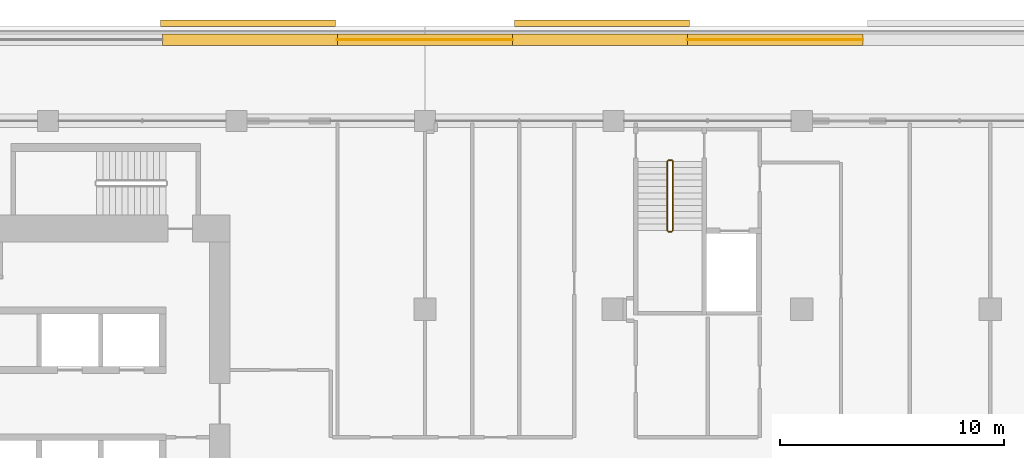
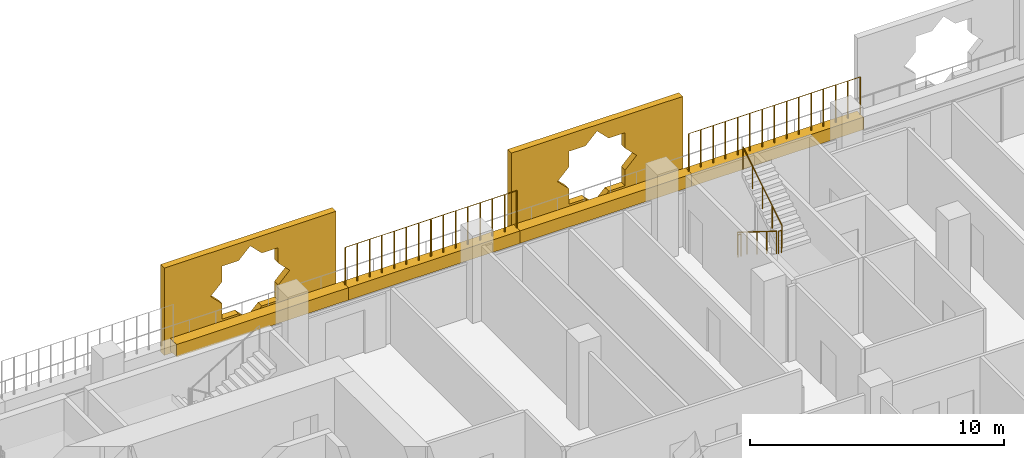
# One storey, part 21 of 22: 6 coverings, 6 railings.
"""IFC4 building model written with IfcOpenShell, lengths in metres."""

from ifc_helpers import new_model, si_unit, direction, frame, origin, origin_2d, place, context, subcontext, project, spatial, polyline, rectangle, circle, outline, extrude, material, material_profile, profile_set, type_object, element, save


model = new_model("IFC4")

# Units and contexts
model_context = context("Model", 3, precision=1e-05, world=origin(), true_north=direction((0.0, 1.0)))
body_context = subcontext(model_context, "Body", "Model", "MODEL_VIEW")
ifc_project = project(units=[si_unit("LENGTHUNIT", "METRE"), si_unit("AREAUNIT", "SQUARE_METRE"), si_unit("VOLUMEUNIT", "CUBIC_METRE"), si_unit("PLANEANGLEUNIT", "RADIAN"), si_unit("MASSUNIT", "GRAM", prefix="KILO")], contexts=[model_context])

# Site, building, storey
site_placement = place(None, origin())
site = spatial("IfcSite", under=ifc_project, at=site_placement, CompositionType="ELEMENT")
building_placement = place(site_placement, origin())
building = spatial("IfcBuilding", under=site, at=building_placement, Name="Kawkab Arch Medical Tower", CompositionType="ELEMENT")
storey_placement = place(building_placement, frame((0.0, 0.0, 183.60009765625)))
storey = spatial("IfcBuildingStorey", under=building, at=storey_placement, Name="L42", CompositionType="ELEMENT", Elevation=183.60009765625)

# Coverings
ifc_material_1 = material(Name="Bronze anodised aluminium mashrabiya panel, eight-point star pattern", Category="aluminium")
ifc_material_profile_1 = material_profile(ifc_material_1, outline(polyline([(-3.89990234375, -2.10009765625), (3.89990234375, -2.10009765625), (3.89990234375, 2.10009765625), (-3.89990234375, 2.10009765625), (-3.89990234375, -2.10009765625)]), holes=[polyline([(1.800048828125, 0.0), (1.272705078125, 0.527099609375), (1.272705078125, 1.272705078125), (0.527099609375, 1.272705078125), (0.0, 1.800048828125), (-0.527099609375, 1.272705078125), (-1.272705078125, 1.272705078125), (-1.272705078125, 0.527099609375), (-1.800048828125, 0.0), (-1.272705078125, -0.527099609375), (-1.272705078125, -1.272705078125), (-0.527099609375, -1.272705078125), (0.0, -1.800048828125), (0.527099609375, -1.272705078125), (1.272705078125, -1.272705078125), (1.272705078125, -0.527099609375), (1.800048828125, 0.0)])]), Name="Mashrabiya panel 7800x4200")
ifc_profile_set_1 = profile_set([ifc_material_profile_1], Name="Bronze anodised aluminium mashrabiya panel, eight-point star pattern")
covering_type_1 = type_object("IfcCoveringType", Name="Mashrabiya panel 7800 x 4200", PredefinedType="USERDEFINED", material=ifc_profile_set_1)
for number, where, z_axis, x_axis, name in (
    (1, (25.7158203125, 4.199951171875, 1.699951171875), (0.0, 1.0, 0.0), (-1.0, 0.0, 0.0), "Mashrabiya panel L42.LOG-01-01.6"),
    (2, (41.484375, 4.199951171875, 1.699951171875), (0.0, 1.0, 0.0), (-1.0, 0.0, 0.0), "Mashrabiya panel L42.LOG-01-01.7"),
):
    element("IfcCovering", number, at=place(storey_placement, frame(where, z_axis=z_axis, x_axis=x_axis)), inside=storey, type_object=covering_type_1, Name=name, ObjectType="SCREEN", PredefinedType="USERDEFINED", context=body_context, shape_type="SweptSolid", body=[
        extrude(outline(polyline([(-3.89990234375, -2.10009765625), (3.89990234375, -2.10009765625), (3.89990234375, 2.10009765625), (-3.89990234375, 2.10009765625), (-3.89990234375, -2.10009765625)]), holes=[polyline([(1.800048828125, 0.0), (1.272705078125, 0.527099609375), (1.272705078125, 1.272705078125), (0.527099609375, 1.272705078125), (0.0, 1.800048828125), (-0.527099609375, 1.272705078125), (-1.272705078125, 1.272705078125), (-1.272705078125, 0.527099609375), (-1.800048828125, 0.0), (-1.272705078125, -0.527099609375), (-1.272705078125, -1.272705078125), (-0.527099609375, -1.272705078125), (0.0, -1.800048828125), (0.527099609375, -1.272705078125), (1.272705078125, -1.272705078125), (1.272705078125, -0.527099609375), (1.800048828125, 0.0)])]), origin(), (0.0, 0.0, 1.0), 0.300048828125),
    ])
ifc_material_2 = material(Name="Planting soil in a precast trough", Category="concrete")
ifc_material_profile_2 = material_profile(ifc_material_2, rectangle(XDim=0.5, YDim=0.60009765625, at=origin_2d()), Name="Trough 500x600")
ifc_profile_set_2 = profile_set([ifc_material_profile_2], Name="Planting soil in a precast trough")
covering_type_2 = type_object("IfcCoveringType", Name="Planter trough 500 x 600", PredefinedType="USERDEFINED", material=ifc_profile_set_2)
covering_1_placement = place(storey_placement, frame((21.89306640625, 3.6201171875, 0.2998046875), z_axis=(1.0, 0.0, 0.0), x_axis=(0.0, 1.0, 0.0)))
element("IfcCovering", 3, at=covering_1_placement, inside=storey, type_object=covering_type_2, Name="Planter L42.LOG-01-01.20", ObjectType="PLANTER", PredefinedType="USERDEFINED", context=body_context, shape_type="SweptSolid", body=[
    extrude(rectangle(XDim=0.5, YDim=0.60009765625, at=origin_2d()), origin(), (0.0, 0.0, 1.0), 7.804931640625),
])
covering_2_placement = place(storey_placement, frame((29.697998046875, 3.6201171875, 0.2998046875), z_axis=(1.0, 0.0, 0.0), x_axis=(0.0, 1.0, 0.0)))
element("IfcCovering", 4, at=covering_2_placement, inside=storey, type_object=covering_type_2, Name="Planter L42.LOG-01-01.21", ObjectType="PLANTER", PredefinedType="USERDEFINED", context=body_context, shape_type="SweptSolid", body=[
    extrude(rectangle(XDim=0.5, YDim=0.60009765625, at=origin_2d()), origin(), (0.0, 0.0, 1.0), 7.803955078125),
])
covering_3_placement = place(storey_placement, frame((37.501953125, 3.6201171875, 0.2998046875), z_axis=(1.0, 0.0, 0.0), x_axis=(0.0, 1.0, 0.0)))
element("IfcCovering", 5, at=covering_3_placement, inside=storey, type_object=covering_type_2, Name="Planter L42.LOG-01-01.22", ObjectType="PLANTER", PredefinedType="USERDEFINED", context=body_context, shape_type="SweptSolid", body=[
    extrude(rectangle(XDim=0.5, YDim=0.60009765625, at=origin_2d()), origin(), (0.0, 0.0, 1.0), 7.804931640625),
])
covering_4_placement = place(storey_placement, frame((45.306884765625, 3.6201171875, 0.2998046875), z_axis=(1.0, 0.0, 0.0), x_axis=(0.0, 1.0, 0.0)))
element("IfcCovering", 6, at=covering_4_placement, inside=storey, type_object=covering_type_2, Name="Planter L42.LOG-01-01.23", ObjectType="PLANTER", PredefinedType="USERDEFINED", context=body_context, shape_type="SweptSolid", body=[
    extrude(rectangle(XDim=0.5, YDim=0.60009765625, at=origin_2d()), origin(), (0.0, 0.0, 1.0), 7.80517578125),
])

# Railings
ifc_material_3 = material(Name="Bronze anodised aluminium trellis for climbing plants", Category="aluminium")
railing_type_1 = type_object("IfcRailingType", Name="Planting trellis 2400", PredefinedType="USERDEFINED", material=ifc_material_3)
railing_1_placement = place(storey_placement, frame((29.697998046875, 3.6201171875, 0.0)))
element("IfcRailing", 7, at=railing_1_placement, inside=storey, type_object=railing_type_1, Name="Planting trellis L42.LOG-01-01.21", ObjectType="TRELLIS", PredefinedType="USERDEFINED", context=body_context, shape_type="SweptSolid", body=[
    extrude(circle(Radius=0.01513671875, at=origin_2d()), frame((0.0, 0.0, 2.384765625), z_axis=(1.0, 0.0, 0.0), x_axis=(0.0, 1.0, 0.0)), (0.0, 0.0, 1.0), 7.803955078125),
    extrude(circle(Radius=0.030029296875, at=origin_2d()), origin(), (0.0, 0.0, 1.0), 2.369873046875),
    extrude(circle(Radius=0.030029296875, at=origin_2d()), frame((0.557373046875, 0.0, 0.0)), (0.0, 0.0, 1.0), 2.369873046875),
    extrude(circle(Radius=0.030029296875, at=origin_2d()), frame((1.11474609375, 0.0, 0.0)), (0.0, 0.0, 1.0), 2.369873046875),
    extrude(circle(Radius=0.030029296875, at=origin_2d()), frame((1.67236328125, 0.0, 0.0)), (0.0, 0.0, 1.0), 2.369873046875),
    extrude(circle(Radius=0.030029296875, at=origin_2d()), frame((2.229736328125, 0.0, 0.0)), (0.0, 0.0, 1.0), 2.369873046875),
    extrude(circle(Radius=0.030029296875, at=origin_2d()), frame((2.787109375, 0.0, 0.0)), (0.0, 0.0, 1.0), 2.369873046875),
    extrude(circle(Radius=0.030029296875, at=origin_2d()), frame((3.344482421875, 0.0, 0.0)), (0.0, 0.0, 1.0), 2.369873046875),
    extrude(circle(Radius=0.030029296875, at=origin_2d()), frame((3.90185546875, 0.0, 0.0)), (0.0, 0.0, 1.0), 2.369873046875),
    extrude(circle(Radius=0.030029296875, at=origin_2d()), frame((4.45947265625, 0.0, 0.0)), (0.0, 0.0, 1.0), 2.369873046875),
    extrude(circle(Radius=0.030029296875, at=origin_2d()), frame((5.016845703125, 0.0, 0.0)), (0.0, 0.0, 1.0), 2.369873046875),
    extrude(circle(Radius=0.030029296875, at=origin_2d()), frame((5.57421875, 0.0, 0.0)), (0.0, 0.0, 1.0), 2.369873046875),
    extrude(circle(Radius=0.030029296875, at=origin_2d()), frame((6.131591796875, 0.0, 0.0)), (0.0, 0.0, 1.0), 2.369873046875),
    extrude(circle(Radius=0.030029296875, at=origin_2d()), frame((6.689208984375, 0.0, 0.0)), (0.0, 0.0, 1.0), 2.369873046875),
    extrude(circle(Radius=0.030029296875, at=origin_2d()), frame((7.24658203125, 0.0, 0.0)), (0.0, 0.0, 1.0), 2.369873046875),
    extrude(circle(Radius=0.030029296875, at=origin_2d()), frame((7.803955078125, 0.0, 0.0)), (0.0, 0.0, 1.0), 2.369873046875),
])
railing_2_placement = place(storey_placement, frame((45.306884765625, 3.6201171875, 0.0)))
element("IfcRailing", 8, at=railing_2_placement, inside=storey, type_object=railing_type_1, Name="Planting trellis L42.LOG-01-01.23", ObjectType="TRELLIS", PredefinedType="USERDEFINED", context=body_context, shape_type="SweptSolid", body=[
    extrude(circle(Radius=0.01513671875, at=origin_2d()), frame((0.0, 0.0, 2.384765625), z_axis=(1.0, 0.0, 0.0), x_axis=(0.0, 1.0, 0.0)), (0.0, 0.0, 1.0), 7.80517578125),
    extrude(circle(Radius=0.030029296875, at=origin_2d()), origin(), (0.0, 0.0, 1.0), 2.369873046875),
    extrude(circle(Radius=0.030029296875, at=origin_2d()), frame((0.5576171875, 0.0, 0.0)), (0.0, 0.0, 1.0), 2.369873046875),
    extrude(circle(Radius=0.030029296875, at=origin_2d()), frame((1.114990234375, 0.0, 0.0)), (0.0, 0.0, 1.0), 2.369873046875),
    extrude(circle(Radius=0.030029296875, at=origin_2d()), frame((1.672607421875, 0.0, 0.0)), (0.0, 0.0, 1.0), 2.369873046875),
    extrude(circle(Radius=0.030029296875, at=origin_2d()), frame((2.22998046875, 0.0, 0.0)), (0.0, 0.0, 1.0), 2.369873046875),
    extrude(circle(Radius=0.030029296875, at=origin_2d()), frame((2.78759765625, 0.0, 0.0)), (0.0, 0.0, 1.0), 2.369873046875),
    extrude(circle(Radius=0.030029296875, at=origin_2d()), frame((3.344970703125, 0.0, 0.0)), (0.0, 0.0, 1.0), 2.369873046875),
    extrude(circle(Radius=0.030029296875, at=origin_2d()), frame((3.902587890625, 0.0, 0.0)), (0.0, 0.0, 1.0), 2.369873046875),
    extrude(circle(Radius=0.030029296875, at=origin_2d()), frame((4.460205078125, 0.0, 0.0)), (0.0, 0.0, 1.0), 2.369873046875),
    extrude(circle(Radius=0.030029296875, at=origin_2d()), frame((5.017578125, 0.0, 0.0)), (0.0, 0.0, 1.0), 2.369873046875),
    extrude(circle(Radius=0.030029296875, at=origin_2d()), frame((5.5751953125, 0.0, 0.0)), (0.0, 0.0, 1.0), 2.369873046875),
    extrude(circle(Radius=0.030029296875, at=origin_2d()), frame((6.132568359375, 0.0, 0.0)), (0.0, 0.0, 1.0), 2.369873046875),
    extrude(circle(Radius=0.030029296875, at=origin_2d()), frame((6.690185546875, 0.0, 0.0)), (0.0, 0.0, 1.0), 2.369873046875),
    extrude(circle(Radius=0.030029296875, at=origin_2d()), frame((7.24755859375, 0.0, 0.0)), (0.0, 0.0, 1.0), 2.369873046875),
    extrude(circle(Radius=0.030029296875, at=origin_2d()), frame((7.80517578125, 0.0, 0.0)), (0.0, 0.0, 1.0), 2.369873046875),
])
ifc_material_4 = material(Name="Stainless steel", Category="steel")
railing_type_2 = type_object("IfcRailingType", Name="Stair guard 1100", PredefinedType="GUARDRAIL", material=ifc_material_4)
railing_3_placement = place(storey_placement, frame((44.39990234375, -1.800048828125, 0.1748046875)))
element("IfcRailing", 9, at=railing_3_placement, inside=storey, type_object=railing_type_2, Name="L42 ST5 stair guard 1", PredefinedType="GUARDRAIL", context=body_context, shape_type="SweptSolid", body=[
    extrude(circle(Radius=0.02392578125, at=origin_2d()), frame((0.0, 0.0, 1.076171875), z_axis=(0.0, -0.847979421464, 0.530029150871), x_axis=(1.0, 0.0, 0.0)), (0.0, 0.0, 1.0), 3.632080078125),
    extrude(circle(Radius=0.02099609375, at=origin_2d()), origin(), (0.0, 0.0, 1.0), 1.052001953125),
    extrude(circle(Radius=0.02099609375, at=origin_2d()), frame((0.0, -0.77001953125, 0.481201171875)), (0.0, 0.0, 1.0), 1.052001953125),
    extrude(circle(Radius=0.02099609375, at=origin_2d()), frame((0.0, -1.5400390625, 0.96240234375)), (0.0, 0.0, 1.0), 1.052001953125),
    extrude(circle(Radius=0.02099609375, at=origin_2d()), frame((0.0, -2.309814453125, 1.44384765625)), (0.0, 0.0, 1.0), 1.052001953125),
    extrude(circle(Radius=0.02099609375, at=origin_2d()), frame((0.0, -3.079833984375, 1.925048828125)), (0.0, 0.0, 1.0), 1.052001953125),
])
railing_4_placement = place(storey_placement, frame((44.449951171875, -4.929931640625, 2.099853515625)))
element("IfcRailing", 10, at=railing_4_placement, inside=storey, type_object=railing_type_2, Name="L42 ST5 stair guard 2", PredefinedType="GUARDRAIL", context=body_context, shape_type="SweptSolid", body=[
    extrude(circle(Radius=0.02392578125, at=origin_2d()), frame((0.0, 0.0, 1.076171875), z_axis=(1.0, 0.0, 0.0), x_axis=(0.0, 1.0, 0.0)), (0.0, 0.0, 1.0), 0.150146484375),
    extrude(circle(Radius=0.02099609375, at=origin_2d()), origin(), (0.0, 0.0, 1.0), 1.052001953125),
    extrude(circle(Radius=0.02099609375, at=origin_2d()), frame((0.150146484375, 0.0, 0.0)), (0.0, 0.0, 1.0), 1.052001953125),
])
railing_5_placement = place(storey_placement, frame((44.64990234375, -4.8798828125, 2.27490234375)))
element("IfcRailing", 11, at=railing_5_placement, inside=storey, type_object=railing_type_2, Name="L42 ST5 stair guard 3", PredefinedType="GUARDRAIL", context=body_context, shape_type="SweptSolid", body=[
    extrude(circle(Radius=0.02392578125, at=origin_2d()), frame((0.0, 0.0, 1.076171875), z_axis=(0.0, 0.847979421464, 0.530029150871), x_axis=(-1.0, 0.0, 0.0)), (0.0, 0.0, 1.0), 3.632080078125),
    extrude(circle(Radius=0.02099609375, at=origin_2d()), origin(), (0.0, 0.0, 1.0), 1.052001953125),
    extrude(circle(Radius=0.02099609375, at=origin_2d()), frame((0.0, 0.77001953125, 0.481201171875)), (0.0, 0.0, 1.0), 1.052001953125),
    extrude(circle(Radius=0.02099609375, at=origin_2d()), frame((0.0, 1.5400390625, 0.96240234375)), (0.0, 0.0, 1.0), 1.052001953125),
    extrude(circle(Radius=0.02099609375, at=origin_2d()), frame((0.0, 2.309814453125, 1.44384765625)), (0.0, 0.0, 1.0), 1.052001953125),
    extrude(circle(Radius=0.02099609375, at=origin_2d()), frame((0.0, 3.079833984375, 1.925048828125)), (0.0, 0.0, 1.0), 1.052001953125),
])
railing_6_placement = place(storey_placement, frame((44.449951171875, -1.75, 0.0)))
element("IfcRailing", 12, at=railing_6_placement, inside=storey, type_object=railing_type_2, Name="L42 ST5 stair guard 4", PredefinedType="GUARDRAIL", context=body_context, shape_type="SweptSolid", body=[
    extrude(circle(Radius=0.02392578125, at=origin_2d()), frame((0.0, 0.0, 1.076171875), z_axis=(1.0, 0.0, 0.0), x_axis=(0.0, 1.0, 0.0)), (0.0, 0.0, 1.0), 0.150146484375),
    extrude(circle(Radius=0.02099609375, at=origin_2d()), origin(), (0.0, 0.0, 1.0), 1.052001953125),
    extrude(circle(Radius=0.02099609375, at=origin_2d()), frame((0.150146484375, 0.0, 0.0)), (0.0, 0.0, 1.0), 1.052001953125),
])

save(model, "model.ifc")
